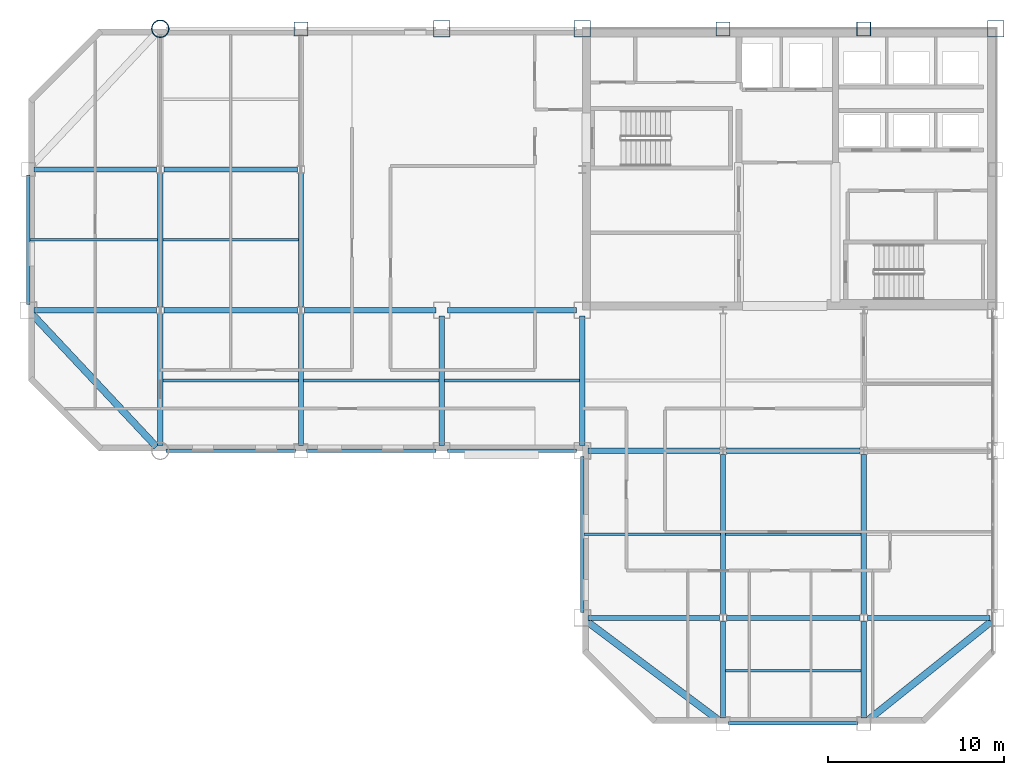
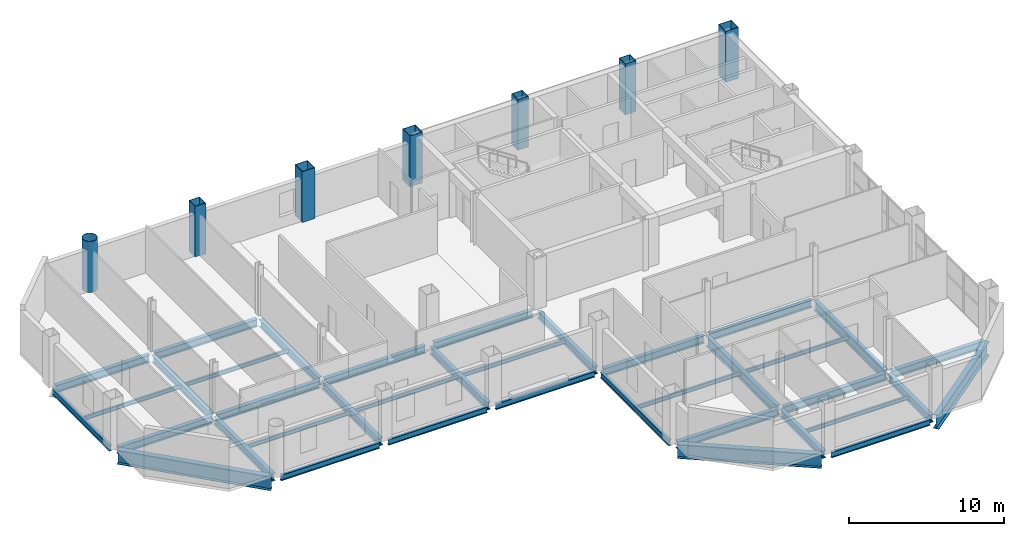
# One storey, part 3 of 12: 38 beams, 7 columns.
"""IFC4 building model written with IfcOpenShell, lengths in metres."""

from ifc_helpers import new_model, si_unit, direction, frame, origin, origin_2d, place, context, subcontext, project, spatial, hollow_rectangle, hollow_circle, i_section, extrude, material, material_profile, profile_set, type_object, element, save


model = new_model("IFC4")

# Units and contexts
model_context = context("Model", 3, precision=1e-05, world=origin(), true_north=direction((0.0, 1.0)))
body_context = subcontext(model_context, "Body", "Model", "MODEL_VIEW")
ifc_project = project(units=[si_unit("LENGTHUNIT", "METRE"), si_unit("AREAUNIT", "SQUARE_METRE"), si_unit("VOLUMEUNIT", "CUBIC_METRE"), si_unit("PLANEANGLEUNIT", "RADIAN"), si_unit("MASSUNIT", "GRAM", prefix="KILO")], contexts=[model_context])

# Site, building, storey
site_placement = place(None, origin())
site = spatial("IfcSite", under=ifc_project, at=site_placement, CompositionType="ELEMENT")
building_placement = place(site_placement, origin())
building = spatial("IfcBuilding", under=site, at=building_placement, Name="Qianrong Seaharbour Tower", CompositionType="ELEMENT")
storey_placement = place(building_placement, frame((0.0, 0.0, 213.800048828125)))
storey = spatial("IfcBuildingStorey", under=building, at=storey_placement, Name="L51", CompositionType="ELEMENT", Elevation=213.800048828125)

# Columns
ifc_material_1 = material(Name="Structural steel SN490B", Category="steel")
ifc_material_profile_1 = material_profile(ifc_material_1, hollow_rectangle(XDim=0.949951171875, YDim=0.949951171875, WallThickness=0.035888671875, at=origin_2d()), Name="BOX950x950x36")
ifc_profile_set_1 = profile_set([ifc_material_profile_1], Name="Structural steel SN490B")
column_type_1 = type_object("IfcColumnType", Name="COL-CFT-950", PredefinedType="COLUMN", material=ifc_profile_set_1)
for number, where, z_axis, x_axis, name in (
    (1, (32.5, 52.0, 0.0), (0.0, 0.0, 1.0), (1.0, 0.0, 0.0), "L51 Column MC-4 at G5/GH"),
    (2, (40.5, 52.0, 0.0), (0.0, 0.0, 1.0), (1.0, 0.0, 0.0), "L51 Column MC-4 at G6/GH"),
    (3, (64.0, 52.0, 0.0), (0.0, 0.0, 1.0), (1.0, 0.0, 0.0), "L51 Column MC-4 at G9/GH"),
):
    element("IfcColumn", number, at=place(storey_placement, frame(where, z_axis=z_axis, x_axis=x_axis)), inside=storey, type_object=column_type_1, Name=name, PredefinedType="COLUMN", context=body_context, shape_type="SweptSolid", body=[
        extrude(hollow_rectangle(XDim=0.949951171875, YDim=0.949951171875, WallThickness=0.035888671875, at=origin_2d()), origin(), (0.0, 0.0, 1.0), 4.0),
    ])
ifc_material_profile_2 = material_profile(ifc_material_1, hollow_circle(Radius=0.5, WallThickness=0.035888671875, at=origin_2d()), Name="CHS1000x36")
ifc_profile_set_2 = profile_set([ifc_material_profile_2], Name="Structural steel SN490B")
column_type_2 = type_object("IfcColumnType", Name="COL-CHS-1000", PredefinedType="COLUMN", material=ifc_profile_set_2)
column_placement = place(storey_placement, frame((16.5, 52.0, 0.0), z_axis=(0.0, 0.0, 1.0), x_axis=(1.0, 0.0, 0.0)))
element("IfcColumn", 4, at=column_placement, inside=storey, type_object=column_type_2, Name="L51 Column CC-2 at G3/GH", PredefinedType="COLUMN", context=body_context, shape_type="SweptSolid", body=[
    extrude(hollow_circle(Radius=0.5, WallThickness=0.035888671875, at=origin_2d()), origin(), (0.0, 0.0, 1.0), 4.0),
])
ifc_material_profile_3 = material_profile(ifc_material_1, hollow_rectangle(XDim=0.800048828125, YDim=0.800048828125, WallThickness=0.031982421875, at=origin_2d()), Name="BOX800x800x32")
ifc_profile_set_3 = profile_set([ifc_material_profile_3], Name="Structural steel SN490B")
column_type_3 = type_object("IfcColumnType", Name="COL-PER-800", PredefinedType="COLUMN", material=ifc_profile_set_3)
for number, where, z_axis, x_axis, name in (
    (5, (24.5, 52.0, 0.0), (0.0, 0.0, 1.0), (1.0, 0.0, 0.0), "L51 Column PC-3 at G4/GH"),
    (6, (48.5, 52.0, 0.0), (0.0, 0.0, 1.0), (1.0, 0.0, 0.0), "L51 Column PC-3 at G7/GH"),
    (7, (56.5, 52.0, 0.0), (0.0, 0.0, 1.0), (1.0, 0.0, 0.0), "L51 Column PC-3 at G8/GH"),
):
    element("IfcColumn", number, at=place(storey_placement, frame(where, z_axis=z_axis, x_axis=x_axis)), inside=storey, type_object=column_type_3, Name=name, PredefinedType="COLUMN", context=body_context, shape_type="SweptSolid", body=[
        extrude(hollow_rectangle(XDim=0.800048828125, YDim=0.800048828125, WallThickness=0.031982421875, at=origin_2d()), origin(), (0.0, 0.0, 1.0), 4.0),
    ])

# Beams
ifc_material_profile_4 = material_profile(ifc_material_1, i_section(OverallWidth=0.300048828125, OverallDepth=0.587890625, WebThickness=0.011962890625, FlangeThickness=0.02001953125, FilletRadius=0.02392578125, at=origin_2d()), Name="H588x300x12x20")
ifc_profile_set_4 = profile_set([ifc_material_profile_4], Name="Structural steel SN490B")
beam_type_1 = type_object("IfcBeamType", Name="BM-G-588", PredefinedType="BEAM", material=ifc_profile_set_4)
beam_1_placement = place(storey_placement, frame((40.820068359375, 18.5, -0.51904296875), z_axis=(1.0, 0.0, 0.0), x_axis=(0.0, 1.0, 0.0)))
element("IfcBeam", 8, at=beam_1_placement, inside=storey, type_object=beam_type_1, Name="L51 Primary Girder GD G6-G7", PredefinedType="BEAM", context=body_context, shape_type="SweptSolid", body=[
    extrude(i_section(OverallWidth=0.300048828125, OverallDepth=0.587890625, WebThickness=0.011962890625, FlangeThickness=0.02001953125, FilletRadius=0.02392578125, at=origin_2d()), origin(), (0.0, 0.0, 1.0), 7.47998046875),
])
beam_2_placement = place(storey_placement, frame((48.699951171875, 18.5, -0.51904296875), z_axis=(1.0, 0.0, 0.0), x_axis=(0.0, 1.0, 0.0)))
element("IfcBeam", 9, at=beam_2_placement, inside=storey, type_object=beam_type_1, Name="L51 Primary Girder GD G7-G8", PredefinedType="BEAM", context=body_context, shape_type="SweptSolid", body=[
    extrude(i_section(OverallWidth=0.300048828125, OverallDepth=0.587890625, WebThickness=0.011962890625, FlangeThickness=0.02001953125, FilletRadius=0.02392578125, at=origin_2d()), origin(), (0.0, 0.0, 1.0), 7.60009765625),
])
beam_3_placement = place(storey_placement, frame((56.699951171875, 18.5, -0.51904296875), z_axis=(1.0, 0.0, 0.0), x_axis=(0.0, 1.0, 0.0)))
element("IfcBeam", 10, at=beam_3_placement, inside=storey, type_object=beam_type_1, Name="L51 Primary Girder GD G8-G9", PredefinedType="BEAM", context=body_context, shape_type="SweptSolid", body=[
    extrude(i_section(OverallWidth=0.300048828125, OverallDepth=0.587890625, WebThickness=0.011962890625, FlangeThickness=0.02001953125, FilletRadius=0.02392578125, at=origin_2d()), origin(), (0.0, 0.0, 1.0), 6.97998046875),
])
beam_4_placement = place(storey_placement, frame((40.820068359375, 28.0, -0.51904296875), z_axis=(1.0, 0.0, 0.0), x_axis=(0.0, 1.0, 0.0)))
element("IfcBeam", 11, at=beam_4_placement, inside=storey, type_object=beam_type_1, Name="L51 Primary Girder GE G6-G7", PredefinedType="BEAM", context=body_context, shape_type="SweptSolid", body=[
    extrude(i_section(OverallWidth=0.300048828125, OverallDepth=0.587890625, WebThickness=0.011962890625, FlangeThickness=0.02001953125, FilletRadius=0.02392578125, at=origin_2d()), origin(), (0.0, 0.0, 1.0), 7.47998046875),
])
beam_5_placement = place(storey_placement, frame((48.699951171875, 28.0, -0.51904296875), z_axis=(1.0, 0.0, 0.0), x_axis=(0.0, 1.0, 0.0)))
element("IfcBeam", 12, at=beam_5_placement, inside=storey, type_object=beam_type_1, Name="L51 Primary Girder GE G7-G8", PredefinedType="BEAM", context=body_context, shape_type="SweptSolid", body=[
    extrude(i_section(OverallWidth=0.300048828125, OverallDepth=0.587890625, WebThickness=0.011962890625, FlangeThickness=0.02001953125, FilletRadius=0.02392578125, at=origin_2d()), origin(), (0.0, 0.0, 1.0), 7.60009765625),
])
beam_6_placement = place(storey_placement, frame((9.320068359375, 36.0, -0.51904296875), z_axis=(1.0, 0.0, 0.0), x_axis=(0.0, 1.0, 0.0)))
element("IfcBeam", 13, at=beam_6_placement, inside=storey, type_object=beam_type_1, Name="L51 Primary Girder GF G2-G3", PredefinedType="BEAM", context=body_context, shape_type="SweptSolid", body=[
    extrude(i_section(OverallWidth=0.300048828125, OverallDepth=0.587890625, WebThickness=0.011962890625, FlangeThickness=0.02001953125, FilletRadius=0.02392578125, at=origin_2d()), origin(), (0.0, 0.0, 1.0), 6.97998046875),
])
beam_7_placement = place(storey_placement, frame((16.699951171875, 36.0, -0.51904296875), z_axis=(1.0, 0.0, 0.0), x_axis=(0.0, 1.0, 0.0)))
element("IfcBeam", 14, at=beam_7_placement, inside=storey, type_object=beam_type_1, Name="L51 Primary Girder GF G3-G4", PredefinedType="BEAM", context=body_context, shape_type="SweptSolid", body=[
    extrude(i_section(OverallWidth=0.300048828125, OverallDepth=0.587890625, WebThickness=0.011962890625, FlangeThickness=0.02001953125, FilletRadius=0.02392578125, at=origin_2d()), origin(), (0.0, 0.0, 1.0), 7.60009765625),
])
beam_8_placement = place(storey_placement, frame((24.699951171875, 36.0, -0.51904296875), z_axis=(1.0, 0.0, 0.0), x_axis=(0.0, 1.0, 0.0)))
element("IfcBeam", 15, at=beam_8_placement, inside=storey, type_object=beam_type_1, Name="L51 Primary Girder GF G4-G5", PredefinedType="BEAM", context=body_context, shape_type="SweptSolid", body=[
    extrude(i_section(OverallWidth=0.300048828125, OverallDepth=0.587890625, WebThickness=0.011962890625, FlangeThickness=0.02001953125, FilletRadius=0.02392578125, at=origin_2d()), origin(), (0.0, 0.0, 1.0), 7.47998046875),
])
beam_9_placement = place(storey_placement, frame((32.820068359375, 36.0, -0.51904296875), z_axis=(1.0, 0.0, 0.0), x_axis=(0.0, 1.0, 0.0)))
element("IfcBeam", 16, at=beam_9_placement, inside=storey, type_object=beam_type_1, Name="L51 Primary Girder GF G5-G6", PredefinedType="BEAM", context=body_context, shape_type="SweptSolid", body=[
    extrude(i_section(OverallWidth=0.300048828125, OverallDepth=0.587890625, WebThickness=0.011962890625, FlangeThickness=0.02001953125, FilletRadius=0.02392578125, at=origin_2d()), origin(), (0.0, 0.0, 1.0), 7.35986328125),
])
beam_10_placement = place(storey_placement, frame((9.320068359375, 44.0, -0.51904296875), z_axis=(1.0, 0.0, 0.0), x_axis=(0.0, 1.0, 0.0)))
element("IfcBeam", 17, at=beam_10_placement, inside=storey, type_object=beam_type_1, Name="L51 Primary Girder GG G2-G3", PredefinedType="BEAM", context=body_context, shape_type="SweptSolid", body=[
    extrude(i_section(OverallWidth=0.300048828125, OverallDepth=0.587890625, WebThickness=0.011962890625, FlangeThickness=0.02001953125, FilletRadius=0.02392578125, at=origin_2d()), origin(), (0.0, 0.0, 1.0), 6.97998046875),
])
beam_11_placement = place(storey_placement, frame((16.699951171875, 44.0, -0.51904296875), z_axis=(1.0, 0.0, 0.0), x_axis=(0.0, 1.0, 0.0)))
element("IfcBeam", 18, at=beam_11_placement, inside=storey, type_object=beam_type_1, Name="L51 Primary Girder GG G3-G4", PredefinedType="BEAM", context=body_context, shape_type="SweptSolid", body=[
    extrude(i_section(OverallWidth=0.300048828125, OverallDepth=0.587890625, WebThickness=0.011962890625, FlangeThickness=0.02001953125, FilletRadius=0.02392578125, at=origin_2d()), origin(), (0.0, 0.0, 1.0), 7.60009765625),
])
beam_12_placement = place(storey_placement, frame((16.5, 28.320068359375, -0.51904296875), z_axis=(0.0, 1.0, 0.0), x_axis=(-1.0, 0.0, 0.0)))
element("IfcBeam", 19, at=beam_12_placement, inside=storey, type_object=beam_type_1, Name="L51 Primary Girder G3 GE-GF", PredefinedType="BEAM", context=body_context, shape_type="SweptSolid", body=[
    extrude(i_section(OverallWidth=0.300048828125, OverallDepth=0.587890625, WebThickness=0.011962890625, FlangeThickness=0.02001953125, FilletRadius=0.02392578125, at=origin_2d()), origin(), (0.0, 0.0, 1.0), 7.47998046875),
])
beam_13_placement = place(storey_placement, frame((16.5, 36.199951171875, -0.51904296875), z_axis=(0.0, 1.0, 0.0), x_axis=(-1.0, 0.0, 0.0)))
element("IfcBeam", 20, at=beam_13_placement, inside=storey, type_object=beam_type_1, Name="L51 Primary Girder G3 GF-GG", PredefinedType="BEAM", context=body_context, shape_type="SweptSolid", body=[
    extrude(i_section(OverallWidth=0.300048828125, OverallDepth=0.587890625, WebThickness=0.011962890625, FlangeThickness=0.02001953125, FilletRadius=0.02392578125, at=origin_2d()), origin(), (0.0, 0.0, 1.0), 7.60009765625),
])
beam_14_placement = place(storey_placement, frame((24.5, 28.320068359375, -0.51904296875), z_axis=(0.0, 1.0, 0.0), x_axis=(-1.0, 0.0, 0.0)))
element("IfcBeam", 21, at=beam_14_placement, inside=storey, type_object=beam_type_1, Name="L51 Primary Girder G4 GE-GF", PredefinedType="BEAM", context=body_context, shape_type="SweptSolid", body=[
    extrude(i_section(OverallWidth=0.300048828125, OverallDepth=0.587890625, WebThickness=0.011962890625, FlangeThickness=0.02001953125, FilletRadius=0.02392578125, at=origin_2d()), origin(), (0.0, 0.0, 1.0), 7.47998046875),
])
beam_15_placement = place(storey_placement, frame((24.5, 36.199951171875, -0.51904296875), z_axis=(0.0, 1.0, 0.0), x_axis=(-1.0, 0.0, 0.0)))
element("IfcBeam", 22, at=beam_15_placement, inside=storey, type_object=beam_type_1, Name="L51 Primary Girder G4 GF-GG", PredefinedType="BEAM", context=body_context, shape_type="SweptSolid", body=[
    extrude(i_section(OverallWidth=0.300048828125, OverallDepth=0.587890625, WebThickness=0.011962890625, FlangeThickness=0.02001953125, FilletRadius=0.02392578125, at=origin_2d()), origin(), (0.0, 0.0, 1.0), 7.60009765625),
])
for number, where, z_axis, x_axis, name in (
    (23, (32.5, 28.320068359375, -0.51904296875), (0.0, 1.0, 0.0), (-1.0, 0.0, 0.0), "L51 Primary Girder G5 GE-GF"),
    (24, (40.5, 28.320068359375, -0.51904296875), (0.0, 1.0, 0.0), (-1.0, 0.0, 0.0), "L51 Primary Girder G6 GE-GF"),
):
    element("IfcBeam", number, at=place(storey_placement, frame(where, z_axis=z_axis, x_axis=x_axis)), inside=storey, type_object=beam_type_1, Name=name, PredefinedType="BEAM", context=body_context, shape_type="SweptSolid", body=[
        extrude(i_section(OverallWidth=0.300048828125, OverallDepth=0.587890625, WebThickness=0.011962890625, FlangeThickness=0.02001953125, FilletRadius=0.02392578125, at=origin_2d()), origin(), (0.0, 0.0, 1.0), 7.35986328125),
    ])
for number, where, z_axis, x_axis, name in (
    (25, (48.5, 12.820068359375, -0.51904296875), (0.0, 1.0, 0.0), (-1.0, 0.0, 0.0), "L51 Primary Girder G7 GC-GD"),
    (26, (56.5, 12.820068359375, -0.51904296875), (0.0, 1.0, 0.0), (-1.0, 0.0, 0.0), "L51 Primary Girder G8 GC-GD"),
):
    element("IfcBeam", number, at=place(storey_placement, frame(where, z_axis=z_axis, x_axis=x_axis)), inside=storey, type_object=beam_type_1, Name=name, PredefinedType="BEAM", context=body_context, shape_type="SweptSolid", body=[
        extrude(i_section(OverallWidth=0.300048828125, OverallDepth=0.587890625, WebThickness=0.011962890625, FlangeThickness=0.02001953125, FilletRadius=0.02392578125, at=origin_2d()), origin(), (0.0, 0.0, 1.0), 5.47998046875),
    ])
ifc_material_profile_5 = material_profile(ifc_material_1, i_section(OverallWidth=0.300048828125, OverallDepth=0.800048828125, WebThickness=0.013916015625, FlangeThickness=0.02587890625, FilletRadius=0.028076171875, at=origin_2d()), Name="H800x300x14x26")
ifc_profile_set_5 = profile_set([ifc_material_profile_5], Name="Structural steel SN490B")
beam_type_2 = type_object("IfcBeamType", Name="BM-G-800", PredefinedType="BEAM", material=ifc_profile_set_5)
for number, where, z_axis, x_axis, name in (
    (27, (48.5, 18.699951171875, -0.625), (0.0, 1.0, 0.0), (-1.0, 0.0, 0.0), "L51 Primary Girder G7 GD-GE"),
    (28, (56.5, 18.699951171875, -0.625), (0.0, 1.0, 0.0), (-1.0, 0.0, 0.0), "L51 Primary Girder G8 GD-GE"),
):
    element("IfcBeam", number, at=place(storey_placement, frame(where, z_axis=z_axis, x_axis=x_axis)), inside=storey, type_object=beam_type_2, Name=name, PredefinedType="BEAM", context=body_context, shape_type="SweptSolid", body=[
        extrude(i_section(OverallWidth=0.300048828125, OverallDepth=0.800048828125, WebThickness=0.013916015625, FlangeThickness=0.02587890625, FilletRadius=0.028076171875, at=origin_2d()), origin(), (0.0, 0.0, 1.0), 9.10009765625),
    ])
ifc_material_2 = material(Name="Structural steel SN400B", Category="steel")
ifc_material_profile_6 = material_profile(ifc_material_2, i_section(OverallWidth=0.14990234375, OverallDepth=0.300048828125, WebThickness=0.006591796875, FlangeThickness=0.009033203125, FilletRadius=0.012939453125, at=origin_2d()), Name="H300x150x6.5x9")
ifc_profile_set_6 = profile_set([ifc_material_profile_6], Name="Structural steel SN400B")
beam_type_3 = type_object("IfcBeamType", Name="BM-J-300", PredefinedType="JOIST", material=ifc_profile_set_6)
beam_16_placement = place(storey_placement, frame((9.10009765625, 40.0, -0.375), z_axis=(1.0, 0.0, 0.0), x_axis=(0.0, 1.0, 0.0)))
element("IfcBeam", 29, at=beam_16_placement, inside=storey, type_object=beam_type_3, Name="L51 Composite Floor Joist G2-G3/GF-GG", PredefinedType="JOIST", context=body_context, shape_type="SweptSolid", body=[
    extrude(i_section(OverallWidth=0.14990234375, OverallDepth=0.300048828125, WebThickness=0.006591796875, FlangeThickness=0.009033203125, FilletRadius=0.012939453125, at=origin_2d()), origin(), (0.0, 0.0, 1.0), 7.25),
])
for number, where, z_axis, x_axis, name in (
    (30, (16.64990234375, 32.0, -0.375), (1.0, 0.0, 0.0), (0.0, 1.0, 0.0), "L51 Composite Floor Joist G3-G4/GE-GF"),
    (31, (16.64990234375, 40.0, -0.375), (1.0, 0.0, 0.0), (0.0, 1.0, 0.0), "L51 Composite Floor Joist G3-G4/GF-GG"),
    (32, (24.64990234375, 32.0, -0.375), (1.0, 0.0, 0.0), (0.0, 1.0, 0.0), "L51 Composite Floor Joist G4-G5/GE-GF"),
    (33, (32.64990234375, 32.0, -0.375), (1.0, 0.0, 0.0), (0.0, 1.0, 0.0), "L51 Composite Floor Joist G5-G6/GE-GF"),
):
    element("IfcBeam", number, at=place(storey_placement, frame(where, z_axis=z_axis, x_axis=x_axis)), inside=storey, type_object=beam_type_3, Name=name, PredefinedType="JOIST", context=body_context, shape_type="SweptSolid", body=[
        extrude(i_section(OverallWidth=0.14990234375, OverallDepth=0.300048828125, WebThickness=0.006591796875, FlangeThickness=0.009033203125, FilletRadius=0.012939453125, at=origin_2d()), origin(), (0.0, 0.0, 1.0), 7.7001953125),
    ])
beam_17_placement = place(storey_placement, frame((40.60009765625, 23.25, -0.375), z_axis=(1.0, 0.0, 0.0), x_axis=(0.0, 1.0, 0.0)))
element("IfcBeam", 34, at=beam_17_placement, inside=storey, type_object=beam_type_3, Name="L51 Composite Floor Joist G6-G7/GD-GE", PredefinedType="JOIST", context=body_context, shape_type="SweptSolid", body=[
    extrude(i_section(OverallWidth=0.14990234375, OverallDepth=0.300048828125, WebThickness=0.006591796875, FlangeThickness=0.009033203125, FilletRadius=0.012939453125, at=origin_2d()), origin(), (0.0, 0.0, 1.0), 7.75),
])
for number, where, z_axis, x_axis, name in (
    (35, (48.64990234375, 15.5, -0.375), (1.0, 0.0, 0.0), (0.0, 1.0, 0.0), "L51 Composite Floor Joist G7-G8/GC-GD"),
    (36, (48.64990234375, 23.25, -0.375), (1.0, 0.0, 0.0), (0.0, 1.0, 0.0), "L51 Composite Floor Joist G7-G8/GD-GE"),
):
    element("IfcBeam", number, at=place(storey_placement, frame(where, z_axis=z_axis, x_axis=x_axis)), inside=storey, type_object=beam_type_3, Name=name, PredefinedType="JOIST", context=body_context, shape_type="SweptSolid", body=[
        extrude(i_section(OverallWidth=0.14990234375, OverallDepth=0.300048828125, WebThickness=0.006591796875, FlangeThickness=0.009033203125, FilletRadius=0.012939453125, at=origin_2d()), origin(), (0.0, 0.0, 1.0), 7.7001953125),
    ])
ifc_material_profile_7 = material_profile(ifc_material_2, i_section(OverallWidth=0.199951171875, OverallDepth=0.449951171875, WebThickness=0.009033203125, FlangeThickness=0.013916015625, FilletRadius=0.01806640625, at=origin_2d()), Name="H450x200x9x14")
ifc_profile_set_7 = profile_set([ifc_material_profile_7], Name="Structural steel SN400B")
beam_type_4 = type_object("IfcBeamType", Name="BM-SP-450", PredefinedType="SPANDREL", material=ifc_profile_set_7)
for number, where, z_axis, x_axis, name in (
    (37, (48.820068359375, 12.5, -0.449951171875), (1.0, 0.0, 0.0), (0.0, 1.0, 0.0), "L51 Spandrel Girder GC G7-G8"),
    (38, (16.820068359375, 28.0, -0.449951171875), (1.0, 0.0, 0.0), (0.0, 1.0, 0.0), "L51 Spandrel Girder GE G3-G4"),
    (39, (24.820068359375, 28.0, -0.449951171875), (1.0, 0.0, 0.0), (0.0, 1.0, 0.0), "L51 Spandrel Girder GE G4-G5"),
    (40, (32.820068359375, 28.0, -0.449951171875), (1.0, 0.0, 0.0), (0.0, 1.0, 0.0), "L51 Spandrel Girder GE G5-G6"),
    (41, (9.0, 36.320068359375, -0.449951171875), (0.0, 1.0, 0.0), (-1.0, 0.0, 0.0), "L51 Spandrel Girder G2 GF-GG"),
):
    element("IfcBeam", number, at=place(storey_placement, frame(where, z_axis=z_axis, x_axis=x_axis)), inside=storey, type_object=beam_type_4, Name=name, PredefinedType="SPANDREL", context=body_context, shape_type="SweptSolid", body=[
        extrude(i_section(OverallWidth=0.199951171875, OverallDepth=0.449951171875, WebThickness=0.009033203125, FlangeThickness=0.013916015625, FilletRadius=0.01806640625, at=origin_2d()), origin(), (0.0, 0.0, 1.0), 7.35986328125),
    ])
beam_18_placement = place(storey_placement, frame((40.5, 18.820068359375, -0.449951171875), z_axis=(0.0, 1.0, 0.0), x_axis=(-1.0, 0.0, 0.0)))
element("IfcBeam", 42, at=beam_18_placement, inside=storey, type_object=beam_type_4, Name="L51 Spandrel Girder G6 GD-GE", PredefinedType="SPANDREL", context=body_context, shape_type="SweptSolid", body=[
    extrude(i_section(OverallWidth=0.199951171875, OverallDepth=0.449951171875, WebThickness=0.009033203125, FlangeThickness=0.013916015625, FilletRadius=0.01806640625, at=origin_2d()), origin(), (0.0, 0.0, 1.0), 8.85986328125),
])
ifc_material_profile_8 = material_profile(ifc_material_1, i_section(OverallWidth=0.39990234375, OverallDepth=1.10009765625, WebThickness=0.02001953125, FlangeThickness=0.035888671875, at=origin_2d()), Name="BH1100x400x20x36")
ifc_profile_set_8 = profile_set([ifc_material_profile_8], Name="Structural steel SN490B")
beam_type_5 = type_object("IfcBeamType", Name="BM-TG-1100", PredefinedType="BEAM", material=ifc_profile_set_8)
beam_19_placement = place(storey_placement, frame((16.28125, 28.2333984375, -0.775146484375), z_axis=(-0.683947420573, 0.729531305628, 0.0), x_axis=(-0.729531305628, -0.683947420573, 0.0)))
element("IfcBeam", 43, at=beam_19_placement, inside=storey, type_object=beam_type_5, Name="L51 Chamfer Corner Spandrel Girder G2/GE", PredefinedType="BEAM", context=body_context, shape_type="SweptSolid", body=[
    extrude(i_section(OverallWidth=0.39990234375, OverallDepth=1.10009765625, WebThickness=0.02001953125, FlangeThickness=0.035888671875, at=origin_2d()), origin(), (0.0, 0.0, 1.0), 10.326171875),
])
beam_20_placement = place(storey_placement, frame((48.243896484375, 12.69189453125, -0.775146484375), z_axis=(-0.799981219482, 0.600025039875, 0.0), x_axis=(-0.600025039875, -0.799981219482, 0.0)))
element("IfcBeam", 44, at=beam_20_placement, inside=storey, type_object=beam_type_5, Name="L51 Chamfer Corner Spandrel Girder G6/GC", PredefinedType="BEAM", context=body_context, shape_type="SweptSolid", body=[
    extrude(i_section(OverallWidth=0.39990234375, OverallDepth=1.10009765625, WebThickness=0.02001953125, FlangeThickness=0.035888671875, at=origin_2d()), origin(), (0.0, 0.0, 1.0), 9.35986328125),
])
beam_21_placement = place(storey_placement, frame((56.75, 12.699951171875, -0.775146484375), z_axis=(0.780863495394, 0.624701690058, 0.0), x_axis=(-0.624701690058, 0.780863495394, 0.0)))
element("IfcBeam", 45, at=beam_21_placement, inside=storey, type_object=beam_type_5, Name="L51 Chamfer Corner Spandrel Girder G9/GC", PredefinedType="BEAM", context=body_context, shape_type="SweptSolid", body=[
    extrude(i_section(OverallWidth=0.39990234375, OverallDepth=1.10009765625, WebThickness=0.02001953125, FlangeThickness=0.035888671875, at=origin_2d()), origin(), (0.0, 0.0, 1.0), 8.96435546875),
])

save(model, "model.ifc")
